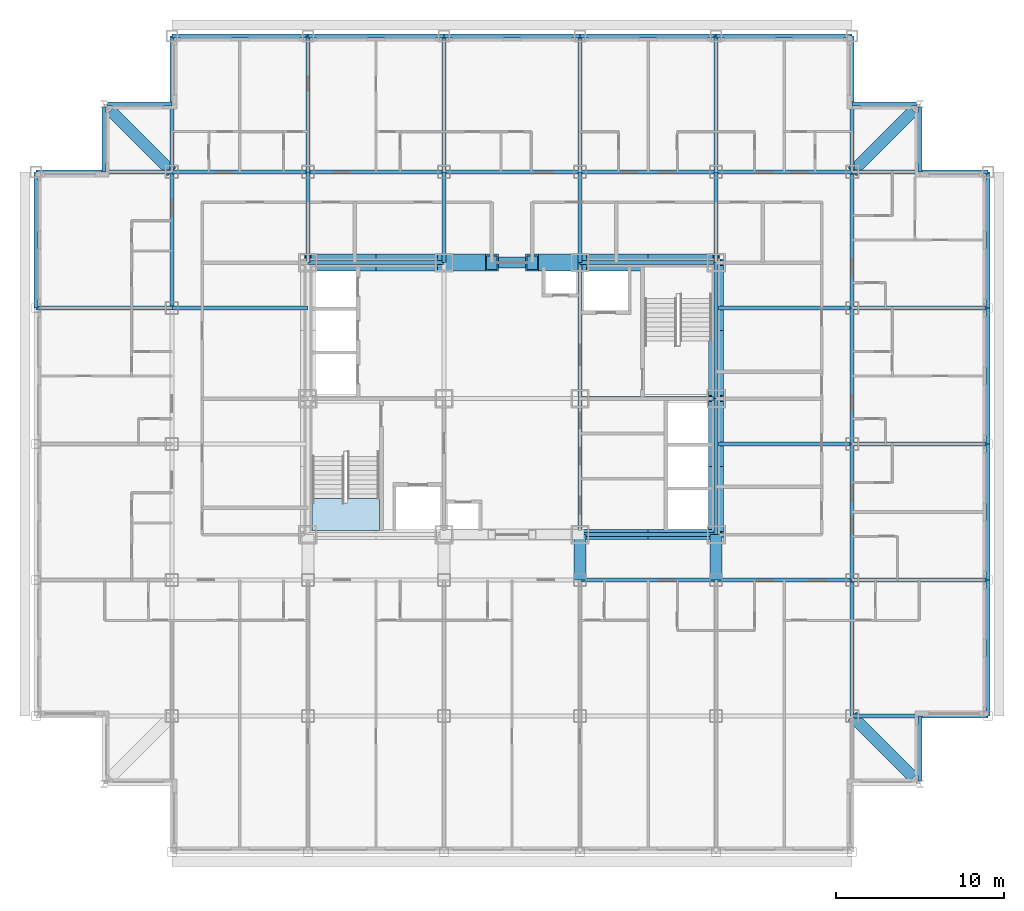
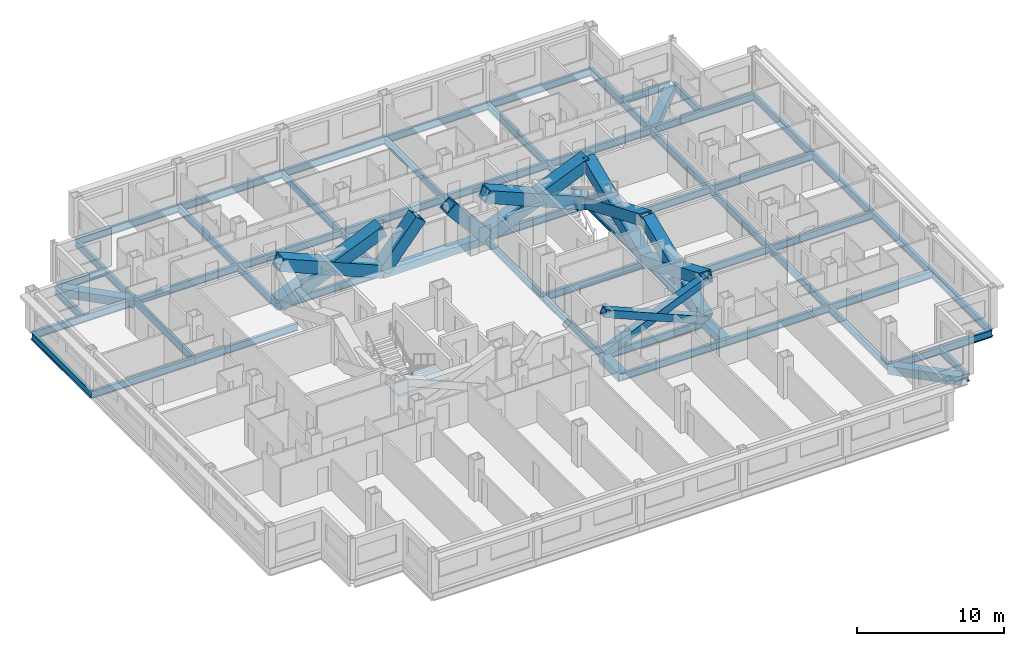
# One storey, part 2 of 13: 61 beams, 12 members, 1 slab, 1 element without a shape of its own.
"""IFC4 building model written with IfcOpenShell, lengths in metres."""

from ifc_helpers import new_model, si_unit, direction, frame, origin, origin_2d, place, context, subcontext, project, spatial, polyline, hollow_rectangle, i_section, outline, extrude, material, layer, layer_set, material_profile, profile_set, type_object, element, aggregate, save


model = new_model("IFC4")

# Units and contexts
model_context = context("Model", 3, precision=1e-05, world=origin(), true_north=direction((0.0, 1.0)))
body_context = subcontext(model_context, "Body", "Model", "MODEL_VIEW")
ifc_project = project(units=[si_unit("LENGTHUNIT", "METRE"), si_unit("AREAUNIT", "SQUARE_METRE"), si_unit("VOLUMEUNIT", "CUBIC_METRE"), si_unit("PLANEANGLEUNIT", "RADIAN"), si_unit("MASSUNIT", "GRAM", prefix="KILO")], contexts=[model_context])

# Site, building, storey
site_placement = place(None, origin())
site = spatial("IfcSite", under=ifc_project, at=site_placement, CompositionType="ELEMENT")
building_placement = place(site_placement, origin())
building = spatial("IfcBuilding", under=site, at=building_placement, Name="Kopane Lantern Tower", CompositionType="ELEMENT")
storey_placement = place(building_placement, frame((0.0, 0.0, 130.60009765625)))
storey = spatial("IfcBuildingStorey", under=building, at=storey_placement, Name="L33", CompositionType="ELEMENT", Elevation=130.60009765625)

# Members
ifc_material_1 = material(Name="Steel S355JR", Category="steel")
ifc_material_profile_1 = material_profile(ifc_material_1, hollow_rectangle(XDim=1.0, YDim=1.0, WallThickness=0.10009765625, at=origin_2d()), Name="BOX 1000x1000x100")
ifc_profile_set_1 = profile_set([ifc_material_profile_1], Name="Steel S355JR")
member_type_1 = type_object("IfcMemberType", Name="BRACE BOX 1000x1000x100", PredefinedType="BRACE", material=ifc_profile_set_1)
for number, where, z_axis, x_axis, name in (
    (1, (16.199951171875, 40.5, -0.210205078125), (0.92205908274, 0.0, 0.387049154419), (0.0, 1.0, 0.0), "Core brace L33"),
    (2, (24.300048828125, 40.5, -0.210205078125), (-0.92205908274, 0.0, 0.387049154419), (0.0, -1.0, 0.0), "Core brace L33"),
):
    element("IfcMember", number, at=place(storey_placement, frame(where, z_axis=z_axis, x_axis=x_axis)), inside=storey, type_object=member_type_1, Name=name, PredefinedType="BRACE", context=body_context, shape_type="SweptSolid", body=[
        extrude(hollow_rectangle(XDim=1.0, YDim=1.0, WallThickness=0.10009765625, at=origin_2d()), origin(), (0.0, 0.0, 1.0), 8.784912109375),
    ])
for number, where, z_axis, x_axis, name in (
    (3, (24.300048828125, 40.5, -0.210205078125), (0.642363165114, 0.0, 0.766400394118), (0.0, 1.0, 0.0), "Core brace L33"),
    (4, (32.39990234375, 40.5, -0.210205078125), (-0.642363165114, 0.0, 0.766400394118), (0.0, -1.0, 0.0), "Core brace L33"),
):
    element("IfcMember", number, at=place(storey_placement, frame(where, z_axis=z_axis, x_axis=x_axis)), inside=storey, type_object=member_type_1, Name=name, PredefinedType="BRACE", context=body_context, shape_type="SweptSolid", body=[
        extrude(hollow_rectangle(XDim=1.0, YDim=1.0, WallThickness=0.10009765625, at=origin_2d()), origin(), (0.0, 0.0, 1.0), 4.4365234375),
    ])
for number, where, z_axis, x_axis, name in (
    (5, (32.39990234375, 40.5, -0.210205078125), (0.92205908274, 0.0, 0.387049154419), (0.0, 1.0, 0.0), "Core brace L33"),
    (6, (40.5, 40.5, -0.210205078125), (-0.92205908274, 0.0, 0.387049154419), (0.0, -1.0, 0.0), "Core brace L33"),
):
    element("IfcMember", number, at=place(storey_placement, frame(where, z_axis=z_axis, x_axis=x_axis)), inside=storey, type_object=member_type_1, Name=name, PredefinedType="BRACE", context=body_context, shape_type="SweptSolid", body=[
        extrude(hollow_rectangle(XDim=1.0, YDim=1.0, WallThickness=0.10009765625, at=origin_2d()), origin(), (0.0, 0.0, 1.0), 8.784912109375),
    ])
ifc_material_2 = material(Name="Steel S355JR", Category="steel")
ifc_material_profile_2 = material_profile(ifc_material_2, hollow_rectangle(XDim=0.60009765625, YDim=0.60009765625, WallThickness=0.050048828125, at=origin_2d()), Name="BOX 600x600x50")
ifc_profile_set_2 = profile_set([ifc_material_profile_2], Name="Steel S355JR")
member_type_2 = type_object("IfcMemberType", Name="BRACE BOX 600x600x50", PredefinedType="BRACE", material=ifc_profile_set_2)
for number, where, z_axis, x_axis, name in (
    (7, (32.39990234375, 24.300048828125, -0.210205078125), (0.92205908274, 0.0, 0.387049154419), (0.0, 1.0, 0.0), "Core brace L33"),
    (8, (40.5, 24.300048828125, -0.210205078125), (-0.92205908274, 0.0, 0.387049154419), (0.0, -1.0, 0.0), "Core brace L33"),
):
    element("IfcMember", number, at=place(storey_placement, frame(where, z_axis=z_axis, x_axis=x_axis)), inside=storey, type_object=member_type_2, Name=name, PredefinedType="BRACE", context=body_context, shape_type="SweptSolid", body=[
        extrude(hollow_rectangle(XDim=0.60009765625, YDim=0.60009765625, WallThickness=0.050048828125, at=origin_2d()), origin(), (0.0, 0.0, 1.0), 8.784912109375),
    ])
ifc_material_3 = material(Name="Steel S355JR", Category="steel")
ifc_material_profile_3 = material_profile(ifc_material_3, hollow_rectangle(XDim=0.89990234375, YDim=0.89990234375, WallThickness=0.090087890625, at=origin_2d()), Name="BOX 900x900x90")
ifc_profile_set_3 = profile_set([ifc_material_profile_3], Name="Steel S355JR")
member_type_3 = type_object("IfcMemberType", Name="BRACE BOX 900x900x90", PredefinedType="BRACE", material=ifc_profile_set_3)
for number, where, z_axis, x_axis, name in (
    (9, (40.5, 24.300048828125, -0.210205078125), (0.0, 0.92205491925, 0.387059072864), (-1.0, 0.0, 0.0), "Core brace L33"),
    (10, (40.5, 32.39990234375, -0.210205078125), (0.0, -0.92205491925, 0.387059072864), (1.0, 0.0, 0.0), "Core brace L33"),
):
    element("IfcMember", number, at=place(storey_placement, frame(where, z_axis=z_axis, x_axis=x_axis)), inside=storey, type_object=member_type_3, Name=name, PredefinedType="BRACE", context=body_context, shape_type="SweptSolid", body=[
        extrude(hollow_rectangle(XDim=0.89990234375, YDim=0.89990234375, WallThickness=0.090087890625, at=origin_2d()), origin(), (0.0, 0.0, 1.0), 8.78466796875),
    ])
for number, where, z_axis, x_axis, name in (
    (11, (40.5, 32.39990234375, -0.210205078125), (0.0, 0.92205908274, 0.387049154419), (-1.0, 0.0, 0.0), "Core brace L33"),
    (12, (40.5, 40.5, -0.210205078125), (0.0, -0.92205908274, 0.387049154419), (1.0, 0.0, 0.0), "Core brace L33"),
):
    element("IfcMember", number, at=place(storey_placement, frame(where, z_axis=z_axis, x_axis=x_axis)), inside=storey, type_object=member_type_3, Name=name, PredefinedType="BRACE", context=body_context, shape_type="SweptSolid", body=[
        extrude(hollow_rectangle(XDim=0.89990234375, YDim=0.89990234375, WallThickness=0.090087890625, at=origin_2d()), origin(), (0.0, 0.0, 1.0), 8.784912109375),
    ])

# Beams
ifc_material_4 = material(Name="Steel S355JR", Category="steel")
ifc_material_profile_4 = material_profile(ifc_material_4, i_section(OverallWidth=0.22900390625, OverallDepth=0.6123046875, WebThickness=0.011962890625, FlangeThickness=0.01953125, FilletRadius=0.0126953125, at=origin_2d()), Name="UB 610x229x125")
ifc_profile_set_4 = profile_set([ifc_material_profile_4], Name="Steel S355JR")
beam_type_1 = type_object("IfcBeamType", Name="CORE BEAM UB 610x229x125", PredefinedType="BEAM", material=ifc_profile_set_4)
beam_1_placement = place(storey_placement, frame((32.39990234375, 24.300048828125, -0.51611328125), z_axis=(0.0, 1.0, 0.0), x_axis=(-1.0, 0.0, 0.0)))
element("IfcBeam", 13, at=beam_1_placement, inside=storey, type_object=beam_type_1, Name="Core Beam L33", PredefinedType="BEAM", context=body_context, shape_type="SweptSolid", body=[
    extrude(i_section(OverallWidth=0.22900390625, OverallDepth=0.6123046875, WebThickness=0.011962890625, FlangeThickness=0.01953125, FilletRadius=0.0126953125, at=origin_2d()), origin(), (0.0, 0.0, 1.0), 8.099853515625),
])
for number, where, z_axis, x_axis, name in (
    (14, (32.39990234375, 32.39990234375, -0.51611328125), (0.0, 1.0, 0.0), (-1.0, 0.0, 0.0), "Core Beam L33"),
    (15, (32.39990234375, 32.39990234375, -0.51611328125), (1.0, 0.0, 0.0), (0.0, 1.0, 0.0), "Core Beam L33"),
):
    element("IfcBeam", number, at=place(storey_placement, frame(where, z_axis=z_axis, x_axis=x_axis)), inside=storey, type_object=beam_type_1, Name=name, PredefinedType="BEAM", context=body_context, shape_type="SweptSolid", body=[
        extrude(i_section(OverallWidth=0.22900390625, OverallDepth=0.6123046875, WebThickness=0.011962890625, FlangeThickness=0.01953125, FilletRadius=0.0126953125, at=origin_2d()), origin(), (0.0, 0.0, 1.0), 8.10009765625),
    ])
ifc_material_5 = material(Name="Steel S355JR", Category="steel")
ifc_material_profile_5 = material_profile(ifc_material_5, hollow_rectangle(XDim=0.699951171875, YDim=0.699951171875, WallThickness=0.06005859375, at=origin_2d()), Name="BOX 700x700x60")
ifc_profile_set_5 = profile_set([ifc_material_profile_5], Name="Steel S355JR")
beam_type_2 = type_object("IfcBeamType", Name="CORNER TIE BEAM BOX 700x700x60", PredefinedType="BEAM", material=ifc_profile_set_5)
beam_2_placement = place(storey_placement, frame((4.447509765625, 49.552490234375, -0.56005859375), z_axis=(0.707106781187, -0.707106781187, 0.0), x_axis=(0.707106781187, 0.707106781187, 0.0)))
element("IfcBeam", 16, at=beam_2_placement, inside=storey, type_object=beam_type_2, Name="Corner Tie Beam L33", PredefinedType="BEAM", context=body_context, shape_type="SweptSolid", body=[
    extrude(hollow_rectangle(XDim=0.699951171875, YDim=0.699951171875, WallThickness=0.06005859375, at=origin_2d()), origin(), (0.0, 0.0, 1.0), 5.16552734375),
])
for number, where, z_axis, x_axis, name in (
    (17, (52.25244140625, 9.847412109375, -0.56005859375), (-0.707083148333, 0.70713041325, 0.0), (-0.70713041325, -0.707083148333, 0.0), "Corner Tie Beam L33"),
    (18, (52.25244140625, 49.552490234375, -0.56005859375), (-0.707083148333, -0.70713041325, 0.0), (0.70713041325, -0.707083148333, 0.0), "Corner Tie Beam L33"),
):
    element("IfcBeam", number, at=place(storey_placement, frame(where, z_axis=z_axis, x_axis=x_axis)), inside=storey, type_object=beam_type_2, Name=name, PredefinedType="BEAM", context=body_context, shape_type="SweptSolid", body=[
        extrude(hollow_rectangle(XDim=0.699951171875, YDim=0.699951171875, WallThickness=0.06005859375, at=origin_2d()), origin(), (0.0, 0.0, 1.0), 5.165283203125),
    ])
ifc_material_6 = material(Name="Steel S355JR", Category="steel")
ifc_material_profile_6 = material_profile(ifc_material_6, i_section(OverallWidth=0.22900390625, OverallDepth=0.6123046875, WebThickness=0.011962890625, FlangeThickness=0.01953125, FilletRadius=0.0126953125, at=origin_2d()), Name="UB 610x229x125")
ifc_profile_set_6 = profile_set([ifc_material_profile_6], Name="Steel S355JR")
beam_type_3 = type_object("IfcBeamType", Name="EDGE BEAM UB 610x229x125", PredefinedType="BEAM", material=ifc_profile_set_6)
for number, where, z_axis, x_axis, name in (
    (19, (4.050048828125, 49.74658203125, -0.51611328125), (0.0, -1.0, 0.0), (1.0, 0.0, 0.0), "Edge Beam L33"),
    (20, (4.25341796875, 49.949951171875, -0.51611328125), (1.0, 0.0, 0.0), (0.0, 1.0, 0.0), "Edge Beam L33"),
):
    element("IfcBeam", number, at=place(storey_placement, frame(where, z_axis=z_axis, x_axis=x_axis)), inside=storey, type_object=beam_type_3, Name=name, PredefinedType="BEAM", context=body_context, shape_type="SweptSolid", body=[
        extrude(i_section(OverallWidth=0.22900390625, OverallDepth=0.6123046875, WebThickness=0.011962890625, FlangeThickness=0.01953125, FilletRadius=0.0126953125, at=origin_2d()), origin(), (0.0, 0.0, 1.0), 3.8466796875),
    ])
for number, where, z_axis, x_axis, name in (
    (21, (52.446533203125, 49.949951171875, -0.51611328125), (-1.0, 0.0, 0.0), (0.0, -1.0, 0.0), "Edge Beam L33"),
    (22, (52.64990234375, 9.653564453125, -0.51611328125), (0.0, 1.0, 0.0), (-1.0, 0.0, 0.0), "Edge Beam L33"),
):
    element("IfcBeam", number, at=place(storey_placement, frame(where, z_axis=z_axis, x_axis=x_axis)), inside=storey, type_object=beam_type_3, Name=name, PredefinedType="BEAM", context=body_context, shape_type="SweptSolid", body=[
        extrude(i_section(OverallWidth=0.22900390625, OverallDepth=0.6123046875, WebThickness=0.011962890625, FlangeThickness=0.01953125, FilletRadius=0.0126953125, at=origin_2d()), origin(), (0.0, 0.0, 1.0), 3.846435546875),
    ])
beam_3_placement = place(storey_placement, frame((52.64990234375, 49.74658203125, -0.51611328125), z_axis=(0.0, -1.0, 0.0), x_axis=(1.0, 0.0, 0.0)))
element("IfcBeam", 23, at=beam_3_placement, inside=storey, type_object=beam_type_3, Name="Edge Beam L33", PredefinedType="BEAM", context=body_context, shape_type="SweptSolid", body=[
    extrude(i_section(OverallWidth=0.22900390625, OverallDepth=0.6123046875, WebThickness=0.011962890625, FlangeThickness=0.01953125, FilletRadius=0.0126953125, at=origin_2d()), origin(), (0.0, 0.0, 1.0), 3.8466796875),
])
ifc_material_7 = material(Name="Steel S355JR", Category="steel")
ifc_material_profile_7 = material_profile(ifc_material_7, hollow_rectangle(XDim=0.699951171875, YDim=0.699951171875, WallThickness=0.06005859375, at=origin_2d()), Name="BOX 700x700x60")
ifc_profile_set_7 = profile_set([ifc_material_profile_7], Name="Steel S355JR")
beam_type_4 = type_object("IfcBeamType", Name="GIRDER BOX 700x700x60", PredefinedType="BEAM", material=ifc_profile_set_7)
for number, where, z_axis, x_axis, name in (
    (24, (32.39990234375, 21.60009765625, -0.56005859375), (0.0, 1.0, 0.0), (-1.0, 0.0, 0.0), "Girder L33"),
    (25, (40.5, 21.60009765625, -0.56005859375), (0.0, 1.0, 0.0), (-1.0, 0.0, 0.0), "Girder L33"),
):
    element("IfcBeam", number, at=place(storey_placement, frame(where, z_axis=z_axis, x_axis=x_axis)), inside=storey, type_object=beam_type_4, Name=name, PredefinedType="BEAM", context=body_context, shape_type="SweptSolid", body=[
        extrude(hollow_rectangle(XDim=0.699951171875, YDim=0.699951171875, WallThickness=0.06005859375, at=origin_2d()), origin(), (0.0, 0.0, 1.0), 2.699951171875),
    ])
ifc_material_8 = material(Name="Steel S355JR", Category="steel")
ifc_material_profile_8 = material_profile(ifc_material_8, i_section(OverallWidth=0.22900390625, OverallDepth=0.6123046875, WebThickness=0.011962890625, FlangeThickness=0.01953125, FilletRadius=0.0126953125, at=origin_2d()), Name="UB 610x229x125")
ifc_profile_set_8 = profile_set([ifc_material_profile_8], Name="Steel S355JR")
beam_type_5 = type_object("IfcBeamType", Name="GIRDER UB 610x229x125", PredefinedType="BEAM", material=ifc_profile_set_8)
beam_4_placement = place(storey_placement, frame((0.0, 37.800048828125, -0.51611328125), z_axis=(0.0, 1.0, 0.0), x_axis=(-1.0, 0.0, 0.0)))
element("IfcBeam", 26, at=beam_4_placement, inside=storey, type_object=beam_type_5, Name="Girder L33", PredefinedType="BEAM", context=body_context, shape_type="SweptSolid", body=[
    extrude(i_section(OverallWidth=0.22900390625, OverallDepth=0.6123046875, WebThickness=0.011962890625, FlangeThickness=0.01953125, FilletRadius=0.0126953125, at=origin_2d()), origin(), (0.0, 0.0, 1.0), 8.099853515625),
])
for number, where, z_axis, x_axis, name in (
    (27, (0.0, 37.800048828125, -0.51611328125), (1.0, 0.0, 0.0), (0.0, 1.0, 0.0), "Girder L33"),
    (28, (0.0, 45.89990234375, -0.51611328125), (1.0, 0.0, 0.0), (0.0, 1.0, 0.0), "Girder L33"),
):
    element("IfcBeam", number, at=place(storey_placement, frame(where, z_axis=z_axis, x_axis=x_axis)), inside=storey, type_object=beam_type_5, Name=name, PredefinedType="BEAM", context=body_context, shape_type="SweptSolid", body=[
        extrude(i_section(OverallWidth=0.22900390625, OverallDepth=0.6123046875, WebThickness=0.011962890625, FlangeThickness=0.01953125, FilletRadius=0.0126953125, at=origin_2d()), origin(), (0.0, 0.0, 1.0), 8.10009765625),
    ])
for number, where, z_axis, x_axis, name in (
    (29, (8.10009765625, 37.800048828125, -0.51611328125), (0.0, 1.0, 0.0), (-1.0, 0.0, 0.0), "Girder L33"),
    (30, (8.10009765625, 37.800048828125, -0.51611328125), (1.0, 0.0, 0.0), (0.0, 1.0, 0.0), "Girder L33"),
):
    element("IfcBeam", number, at=place(storey_placement, frame(where, z_axis=z_axis, x_axis=x_axis)), inside=storey, type_object=beam_type_5, Name=name, PredefinedType="BEAM", context=body_context, shape_type="SweptSolid", body=[
        extrude(i_section(OverallWidth=0.22900390625, OverallDepth=0.6123046875, WebThickness=0.011962890625, FlangeThickness=0.01953125, FilletRadius=0.0126953125, at=origin_2d()), origin(), (0.0, 0.0, 1.0), 8.099853515625),
    ])
beam_5_placement = place(storey_placement, frame((8.10009765625, 45.89990234375, -0.51611328125), z_axis=(0.0, 1.0, 0.0), x_axis=(-1.0, 0.0, 0.0)))
element("IfcBeam", 31, at=beam_5_placement, inside=storey, type_object=beam_type_5, Name="Girder L33", PredefinedType="BEAM", context=body_context, shape_type="SweptSolid", body=[
    extrude(i_section(OverallWidth=0.22900390625, OverallDepth=0.6123046875, WebThickness=0.011962890625, FlangeThickness=0.01953125, FilletRadius=0.0126953125, at=origin_2d()), origin(), (0.0, 0.0, 1.0), 8.10009765625),
])
for number, where, z_axis, x_axis, name in (
    (32, (8.10009765625, 45.89990234375, -0.51611328125), (1.0, 0.0, 0.0), (0.0, 1.0, 0.0), "Girder L33"),
    (33, (8.10009765625, 54.0, -0.51611328125), (1.0, 0.0, 0.0), (0.0, 1.0, 0.0), "Girder L33"),
):
    element("IfcBeam", number, at=place(storey_placement, frame(where, z_axis=z_axis, x_axis=x_axis)), inside=storey, type_object=beam_type_5, Name=name, PredefinedType="BEAM", context=body_context, shape_type="SweptSolid", body=[
        extrude(i_section(OverallWidth=0.22900390625, OverallDepth=0.6123046875, WebThickness=0.011962890625, FlangeThickness=0.01953125, FilletRadius=0.0126953125, at=origin_2d()), origin(), (0.0, 0.0, 1.0), 8.099853515625),
    ])
beam_6_placement = place(storey_placement, frame((16.199951171875, 40.5, -0.51611328125), z_axis=(0.0, 1.0, 0.0), x_axis=(-1.0, 0.0, 0.0)))
element("IfcBeam", 34, at=beam_6_placement, inside=storey, type_object=beam_type_5, Name="Girder L33", PredefinedType="BEAM", context=body_context, shape_type="SweptSolid", body=[
    extrude(i_section(OverallWidth=0.22900390625, OverallDepth=0.6123046875, WebThickness=0.011962890625, FlangeThickness=0.01953125, FilletRadius=0.0126953125, at=origin_2d()), origin(), (0.0, 0.0, 1.0), 5.39990234375),
])
for number, where, z_axis, x_axis, name in (
    (35, (16.199951171875, 40.5, -0.51611328125), (1.0, 0.0, 0.0), (0.0, 1.0, 0.0), "Girder L33"),
    (36, (16.199951171875, 45.89990234375, -0.51611328125), (0.0, 1.0, 0.0), (-1.0, 0.0, 0.0), "Girder L33"),
    (37, (16.199951171875, 45.89990234375, -0.51611328125), (1.0, 0.0, 0.0), (0.0, 1.0, 0.0), "Girder L33"),
    (38, (16.199951171875, 54.0, -0.51611328125), (1.0, 0.0, 0.0), (0.0, 1.0, 0.0), "Girder L33"),
):
    element("IfcBeam", number, at=place(storey_placement, frame(where, z_axis=z_axis, x_axis=x_axis)), inside=storey, type_object=beam_type_5, Name=name, PredefinedType="BEAM", context=body_context, shape_type="SweptSolid", body=[
        extrude(i_section(OverallWidth=0.22900390625, OverallDepth=0.6123046875, WebThickness=0.011962890625, FlangeThickness=0.01953125, FilletRadius=0.0126953125, at=origin_2d()), origin(), (0.0, 0.0, 1.0), 8.10009765625),
    ])
beam_7_placement = place(storey_placement, frame((24.300048828125, 40.5, -0.51611328125), z_axis=(0.0, 1.0, 0.0), x_axis=(-1.0, 0.0, 0.0)))
element("IfcBeam", 39, at=beam_7_placement, inside=storey, type_object=beam_type_5, Name="Girder L33", PredefinedType="BEAM", context=body_context, shape_type="SweptSolid", body=[
    extrude(i_section(OverallWidth=0.22900390625, OverallDepth=0.6123046875, WebThickness=0.011962890625, FlangeThickness=0.01953125, FilletRadius=0.0126953125, at=origin_2d()), origin(), (0.0, 0.0, 1.0), 5.39990234375),
])
beam_8_placement = place(storey_placement, frame((24.300048828125, 45.89990234375, -0.51611328125), z_axis=(0.0, 1.0, 0.0), x_axis=(-1.0, 0.0, 0.0)))
element("IfcBeam", 40, at=beam_8_placement, inside=storey, type_object=beam_type_5, Name="Girder L33", PredefinedType="BEAM", context=body_context, shape_type="SweptSolid", body=[
    extrude(i_section(OverallWidth=0.22900390625, OverallDepth=0.6123046875, WebThickness=0.011962890625, FlangeThickness=0.01953125, FilletRadius=0.0126953125, at=origin_2d()), origin(), (0.0, 0.0, 1.0), 8.10009765625),
])
for number, where, z_axis, x_axis, name in (
    (41, (24.300048828125, 45.89990234375, -0.51611328125), (1.0, 0.0, 0.0), (0.0, 1.0, 0.0), "Girder L33"),
    (42, (24.300048828125, 54.0, -0.51611328125), (1.0, 0.0, 0.0), (0.0, 1.0, 0.0), "Girder L33"),
):
    element("IfcBeam", number, at=place(storey_placement, frame(where, z_axis=z_axis, x_axis=x_axis)), inside=storey, type_object=beam_type_5, Name=name, PredefinedType="BEAM", context=body_context, shape_type="SweptSolid", body=[
        extrude(i_section(OverallWidth=0.22900390625, OverallDepth=0.6123046875, WebThickness=0.011962890625, FlangeThickness=0.01953125, FilletRadius=0.0126953125, at=origin_2d()), origin(), (0.0, 0.0, 1.0), 8.099853515625),
    ])
for number, where, z_axis, x_axis, name in (
    (43, (32.39990234375, 21.60009765625, -0.51611328125), (1.0, 0.0, 0.0), (0.0, 1.0, 0.0), "Girder L33"),
    (44, (32.39990234375, 24.300048828125, -0.51611328125), (1.0, 0.0, 0.0), (0.0, 1.0, 0.0), "Girder L33"),
):
    element("IfcBeam", number, at=place(storey_placement, frame(where, z_axis=z_axis, x_axis=x_axis)), inside=storey, type_object=beam_type_5, Name=name, PredefinedType="BEAM", context=body_context, shape_type="SweptSolid", body=[
        extrude(i_section(OverallWidth=0.22900390625, OverallDepth=0.6123046875, WebThickness=0.011962890625, FlangeThickness=0.01953125, FilletRadius=0.0126953125, at=origin_2d()), origin(), (0.0, 0.0, 1.0), 8.10009765625),
    ])
beam_9_placement = place(storey_placement, frame((32.39990234375, 40.5, -0.51611328125), z_axis=(0.0, 1.0, 0.0), x_axis=(-1.0, 0.0, 0.0)))
element("IfcBeam", 45, at=beam_9_placement, inside=storey, type_object=beam_type_5, Name="Girder L33", PredefinedType="BEAM", context=body_context, shape_type="SweptSolid", body=[
    extrude(i_section(OverallWidth=0.22900390625, OverallDepth=0.6123046875, WebThickness=0.011962890625, FlangeThickness=0.01953125, FilletRadius=0.0126953125, at=origin_2d()), origin(), (0.0, 0.0, 1.0), 5.39990234375),
])
for number, where, z_axis, x_axis, name in (
    (46, (32.39990234375, 40.5, -0.51611328125), (1.0, 0.0, 0.0), (0.0, 1.0, 0.0), "Girder L33"),
    (47, (32.39990234375, 45.89990234375, -0.51611328125), (0.0, 1.0, 0.0), (-1.0, 0.0, 0.0), "Girder L33"),
    (48, (32.39990234375, 45.89990234375, -0.51611328125), (1.0, 0.0, 0.0), (0.0, 1.0, 0.0), "Girder L33"),
    (49, (32.39990234375, 54.0, -0.51611328125), (1.0, 0.0, 0.0), (0.0, 1.0, 0.0), "Girder L33"),
    (50, (40.5, 21.60009765625, -0.51611328125), (1.0, 0.0, 0.0), (0.0, 1.0, 0.0), "Girder L33"),
):
    element("IfcBeam", number, at=place(storey_placement, frame(where, z_axis=z_axis, x_axis=x_axis)), inside=storey, type_object=beam_type_5, Name=name, PredefinedType="BEAM", context=body_context, shape_type="SweptSolid", body=[
        extrude(i_section(OverallWidth=0.22900390625, OverallDepth=0.6123046875, WebThickness=0.011962890625, FlangeThickness=0.01953125, FilletRadius=0.0126953125, at=origin_2d()), origin(), (0.0, 0.0, 1.0), 8.10009765625),
    ])
beam_10_placement = place(storey_placement, frame((40.5, 24.300048828125, -0.51611328125), z_axis=(0.0, 1.0, 0.0), x_axis=(-1.0, 0.0, 0.0)))
element("IfcBeam", 51, at=beam_10_placement, inside=storey, type_object=beam_type_5, Name="Girder L33", PredefinedType="BEAM", context=body_context, shape_type="SweptSolid", body=[
    extrude(i_section(OverallWidth=0.22900390625, OverallDepth=0.6123046875, WebThickness=0.011962890625, FlangeThickness=0.01953125, FilletRadius=0.0126953125, at=origin_2d()), origin(), (0.0, 0.0, 1.0), 8.099853515625),
])
for number, where, z_axis, x_axis, name in (
    (52, (40.5, 29.699951171875, -0.51611328125), (1.0, 0.0, 0.0), (0.0, 1.0, 0.0), "Girder L33"),
    (53, (40.5, 32.39990234375, -0.51611328125), (0.0, 1.0, 0.0), (-1.0, 0.0, 0.0), "Girder L33"),
    (54, (40.5, 37.800048828125, -0.51611328125), (1.0, 0.0, 0.0), (0.0, 1.0, 0.0), "Girder L33"),
):
    element("IfcBeam", number, at=place(storey_placement, frame(where, z_axis=z_axis, x_axis=x_axis)), inside=storey, type_object=beam_type_5, Name=name, PredefinedType="BEAM", context=body_context, shape_type="SweptSolid", body=[
        extrude(i_section(OverallWidth=0.22900390625, OverallDepth=0.6123046875, WebThickness=0.011962890625, FlangeThickness=0.01953125, FilletRadius=0.0126953125, at=origin_2d()), origin(), (0.0, 0.0, 1.0), 8.10009765625),
    ])
beam_11_placement = place(storey_placement, frame((40.5, 40.5, -0.51611328125), z_axis=(0.0, 1.0, 0.0), x_axis=(-1.0, 0.0, 0.0)))
element("IfcBeam", 55, at=beam_11_placement, inside=storey, type_object=beam_type_5, Name="Girder L33", PredefinedType="BEAM", context=body_context, shape_type="SweptSolid", body=[
    extrude(i_section(OverallWidth=0.22900390625, OverallDepth=0.6123046875, WebThickness=0.011962890625, FlangeThickness=0.01953125, FilletRadius=0.0126953125, at=origin_2d()), origin(), (0.0, 0.0, 1.0), 5.39990234375),
])
for number, where, z_axis, x_axis, name in (
    (56, (40.5, 45.89990234375, -0.51611328125), (0.0, 1.0, 0.0), (-1.0, 0.0, 0.0), "Girder L33"),
    (57, (40.5, 45.89990234375, -0.51611328125), (1.0, 0.0, 0.0), (0.0, 1.0, 0.0), "Girder L33"),
    (58, (40.5, 54.0, -0.51611328125), (1.0, 0.0, 0.0), (0.0, 1.0, 0.0), "Girder L33"),
    (59, (48.60009765625, 13.5, -0.51611328125), (0.0, 1.0, 0.0), (-1.0, 0.0, 0.0), "Girder L33"),
):
    element("IfcBeam", number, at=place(storey_placement, frame(where, z_axis=z_axis, x_axis=x_axis)), inside=storey, type_object=beam_type_5, Name=name, PredefinedType="BEAM", context=body_context, shape_type="SweptSolid", body=[
        extrude(i_section(OverallWidth=0.22900390625, OverallDepth=0.6123046875, WebThickness=0.011962890625, FlangeThickness=0.01953125, FilletRadius=0.0126953125, at=origin_2d()), origin(), (0.0, 0.0, 1.0), 8.10009765625),
    ])
for number, where, z_axis, x_axis, name in (
    (60, (48.60009765625, 13.5, -0.51611328125), (1.0, 0.0, 0.0), (0.0, 1.0, 0.0), "Girder L33"),
    (61, (48.60009765625, 21.60009765625, -0.51611328125), (0.0, 1.0, 0.0), (-1.0, 0.0, 0.0), "Girder L33"),
    (62, (48.60009765625, 21.60009765625, -0.51611328125), (1.0, 0.0, 0.0), (0.0, 1.0, 0.0), "Girder L33"),
):
    element("IfcBeam", number, at=place(storey_placement, frame(where, z_axis=z_axis, x_axis=x_axis)), inside=storey, type_object=beam_type_5, Name=name, PredefinedType="BEAM", context=body_context, shape_type="SweptSolid", body=[
        extrude(i_section(OverallWidth=0.22900390625, OverallDepth=0.6123046875, WebThickness=0.011962890625, FlangeThickness=0.01953125, FilletRadius=0.0126953125, at=origin_2d()), origin(), (0.0, 0.0, 1.0), 8.099853515625),
    ])
beam_12_placement = place(storey_placement, frame((48.60009765625, 29.699951171875, -0.51611328125), z_axis=(0.0, 1.0, 0.0), x_axis=(-1.0, 0.0, 0.0)))
element("IfcBeam", 63, at=beam_12_placement, inside=storey, type_object=beam_type_5, Name="Girder L33", PredefinedType="BEAM", context=body_context, shape_type="SweptSolid", body=[
    extrude(i_section(OverallWidth=0.22900390625, OverallDepth=0.6123046875, WebThickness=0.011962890625, FlangeThickness=0.01953125, FilletRadius=0.0126953125, at=origin_2d()), origin(), (0.0, 0.0, 1.0), 8.10009765625),
])
for number, where, z_axis, x_axis, name in (
    (64, (48.60009765625, 29.699951171875, -0.51611328125), (1.0, 0.0, 0.0), (0.0, 1.0, 0.0), "Girder L33"),
    (65, (48.60009765625, 37.800048828125, -0.51611328125), (0.0, 1.0, 0.0), (-1.0, 0.0, 0.0), "Girder L33"),
    (66, (48.60009765625, 37.800048828125, -0.51611328125), (1.0, 0.0, 0.0), (0.0, 1.0, 0.0), "Girder L33"),
):
    element("IfcBeam", number, at=place(storey_placement, frame(where, z_axis=z_axis, x_axis=x_axis)), inside=storey, type_object=beam_type_5, Name=name, PredefinedType="BEAM", context=body_context, shape_type="SweptSolid", body=[
        extrude(i_section(OverallWidth=0.22900390625, OverallDepth=0.6123046875, WebThickness=0.011962890625, FlangeThickness=0.01953125, FilletRadius=0.0126953125, at=origin_2d()), origin(), (0.0, 0.0, 1.0), 8.099853515625),
    ])
beam_13_placement = place(storey_placement, frame((48.60009765625, 45.89990234375, -0.51611328125), z_axis=(0.0, 1.0, 0.0), x_axis=(-1.0, 0.0, 0.0)))
element("IfcBeam", 67, at=beam_13_placement, inside=storey, type_object=beam_type_5, Name="Girder L33", PredefinedType="BEAM", context=body_context, shape_type="SweptSolid", body=[
    extrude(i_section(OverallWidth=0.22900390625, OverallDepth=0.6123046875, WebThickness=0.011962890625, FlangeThickness=0.01953125, FilletRadius=0.0126953125, at=origin_2d()), origin(), (0.0, 0.0, 1.0), 8.10009765625),
])
beam_14_placement = place(storey_placement, frame((48.60009765625, 45.89990234375, -0.51611328125), z_axis=(1.0, 0.0, 0.0), x_axis=(0.0, 1.0, 0.0)))
element("IfcBeam", 68, at=beam_14_placement, inside=storey, type_object=beam_type_5, Name="Girder L33", PredefinedType="BEAM", context=body_context, shape_type="SweptSolid", body=[
    extrude(i_section(OverallWidth=0.22900390625, OverallDepth=0.6123046875, WebThickness=0.011962890625, FlangeThickness=0.01953125, FilletRadius=0.0126953125, at=origin_2d()), origin(), (0.0, 0.0, 1.0), 8.099853515625),
])
beam_15_placement = place(storey_placement, frame((56.699951171875, 13.5, -0.51611328125), z_axis=(0.0, 1.0, 0.0), x_axis=(-1.0, 0.0, 0.0)))
element("IfcBeam", 69, at=beam_15_placement, inside=storey, type_object=beam_type_5, Name="Girder L33", PredefinedType="BEAM", context=body_context, shape_type="SweptSolid", body=[
    extrude(i_section(OverallWidth=0.22900390625, OverallDepth=0.6123046875, WebThickness=0.011962890625, FlangeThickness=0.01953125, FilletRadius=0.0126953125, at=origin_2d()), origin(), (0.0, 0.0, 1.0), 8.10009765625),
])
beam_16_placement = place(storey_placement, frame((56.699951171875, 21.60009765625, -0.51611328125), z_axis=(0.0, 1.0, 0.0), x_axis=(-1.0, 0.0, 0.0)))
element("IfcBeam", 70, at=beam_16_placement, inside=storey, type_object=beam_type_5, Name="Girder L33", PredefinedType="BEAM", context=body_context, shape_type="SweptSolid", body=[
    extrude(i_section(OverallWidth=0.22900390625, OverallDepth=0.6123046875, WebThickness=0.011962890625, FlangeThickness=0.01953125, FilletRadius=0.0126953125, at=origin_2d()), origin(), (0.0, 0.0, 1.0), 8.099853515625),
])
beam_17_placement = place(storey_placement, frame((56.699951171875, 29.699951171875, -0.51611328125), z_axis=(0.0, 1.0, 0.0), x_axis=(-1.0, 0.0, 0.0)))
element("IfcBeam", 71, at=beam_17_placement, inside=storey, type_object=beam_type_5, Name="Girder L33", PredefinedType="BEAM", context=body_context, shape_type="SweptSolid", body=[
    extrude(i_section(OverallWidth=0.22900390625, OverallDepth=0.6123046875, WebThickness=0.011962890625, FlangeThickness=0.01953125, FilletRadius=0.0126953125, at=origin_2d()), origin(), (0.0, 0.0, 1.0), 8.10009765625),
])
beam_18_placement = place(storey_placement, frame((56.699951171875, 37.800048828125, -0.51611328125), z_axis=(0.0, 1.0, 0.0), x_axis=(-1.0, 0.0, 0.0)))
element("IfcBeam", 72, at=beam_18_placement, inside=storey, type_object=beam_type_5, Name="Girder L33", PredefinedType="BEAM", context=body_context, shape_type="SweptSolid", body=[
    extrude(i_section(OverallWidth=0.22900390625, OverallDepth=0.6123046875, WebThickness=0.011962890625, FlangeThickness=0.01953125, FilletRadius=0.0126953125, at=origin_2d()), origin(), (0.0, 0.0, 1.0), 8.099853515625),
])
ifc_material_9 = material(Name="Steel S355JR", Category="steel")
ifc_material_profile_9 = material_profile(ifc_material_9, hollow_rectangle(XDim=0.64990234375, YDim=0.64990234375, WallThickness=0.070068359375, at=origin_2d()), Name="BOX 650x650x70")
ifc_profile_set_9 = profile_set([ifc_material_profile_9], Name="Steel S355JR")
beam_type_6 = type_object("IfcBeamType", Name="LINK BEAM BOX 650x650x70", PredefinedType="BEAM", material=ifc_profile_set_9)
beam_19_placement = place(storey_placement, frame((24.300048828125, 40.5, -0.53515625), z_axis=(1.0, 0.0, 0.0), x_axis=(0.0, 1.0, 0.0)))
element("IfcBeam", 73, at=beam_19_placement, inside=storey, type_object=beam_type_6, Name="Link Beam L33", PredefinedType="BEAM", context=body_context, shape_type="SweptSolid", body=[
    extrude(hollow_rectangle(XDim=0.64990234375, YDim=0.64990234375, WallThickness=0.070068359375, at=origin_2d()), origin(), (0.0, 0.0, 1.0), 8.099853515625),
])

# Stair, slab
ifc_material_10 = material(Name="Steel S355JR", Category="steel")
stair_type = type_object("IfcStairType", Name="EXIT STAIR 1900 HALF TURN", PredefinedType="HALF_TURN_STAIR", material=ifc_material_10)
stair_placement = place(storey_placement, origin())
stair = element("IfcStair", 74, at=stair_placement, inside=storey, type_object=stair_type, Name="Exit stair ST1 L33", PredefinedType="HALF_TURN_STAIR")
ifc_material_11 = material(Name="Concrete C40/50", Category="concrete")
ifc_layer = layer(ifc_material_11, 0.199951171875)
ifc_layer_set = layer_set([ifc_layer], Name="STAIR LANDING 200")
slab_type = type_object("IfcSlabType", Name="STAIR LANDING 200", PredefinedType="LANDING", material=ifc_layer_set)
slab_placement = place(storey_placement, frame((0.0, 0.0, 1.5)))
slab = element("IfcSlab", 75, at=slab_placement, type_object=slab_type, Name="ST1 landing 2", PredefinedType="LANDING", context=body_context, shape_type="SweptSolid", body=[
    extrude(outline(polyline([(20.449951171875, 26.449951171875), (18.550048828125, 26.449951171875), (18.550048828125, 26.169921875), (18.35009765625, 26.169921875), (18.35009765625, 26.449951171875), (16.449951171875, 26.449951171875), (16.449951171875, 24.550048828125), (20.449951171875, 24.550048828125), (20.449951171875, 26.449951171875)])), origin(), (0.0, 0.0, 1.0), 0.199951171875),
])
aggregate(stair, [slab])

save(model, "model.ifc")
